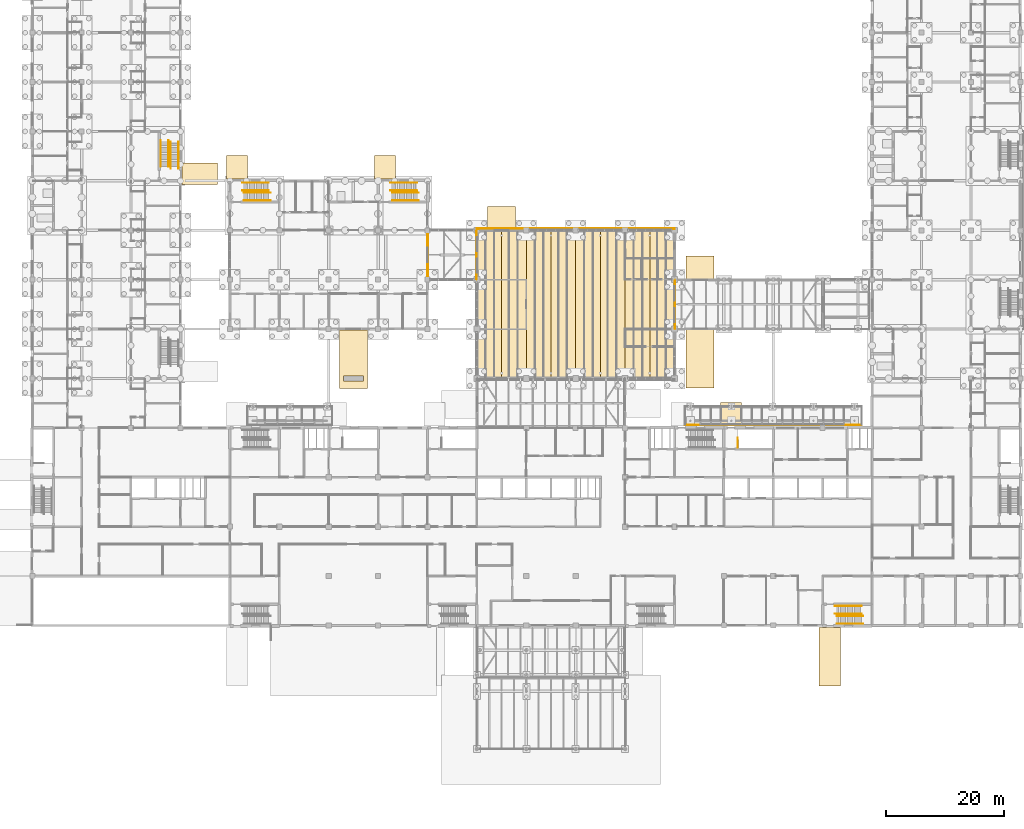
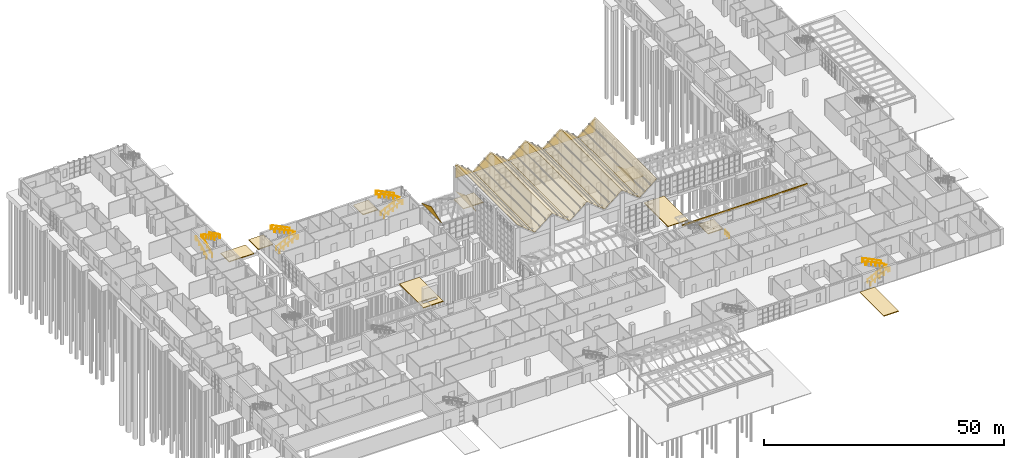
# One storey, part 134 of 138: 26 coverings, 17 railings.
"""IFC4 building model written with IfcOpenShell, lengths in metres."""

import ifcopenshell
import ifcopenshell.guid

model = None  # the IFC model being written
_history = None  # IfcOwnerHistory: only IFC2X3 demands one
_inside = {}  # id of a spatial element -> (the spatial element, [elements in it])
_under = {}  # id of a project, library or spatial element -> (it, [spatial elements below it])
_declared = {}  # id of a project -> (the project, [libraries it declares])
_typed = {}  # id of a type object -> (the type object, [elements of that type])
_made_of = {}  # id of a material, layer set ... -> (it, [elements and type objects made of it])


def new_model(schema):
    """Start an empty IFC model of exactly this schema.

    Asked for "IFC4X3", IfcOpenShell would pick the latest addendum, in which some entities
    have other attributes; the version numbers below select the first issue.
    IFC2X3 requires an IfcOwnerHistory on every rooted entity: one is made here for all.
    """
    global model, _history
    if schema == "IFC4X3":
        model = ifcopenshell.file(schema_version=(4, 3, 0, 0))
    else:
        model = ifcopenshell.file(schema=schema)
    _inside.clear()
    _under.clear()
    _declared.clear()
    _typed.clear()
    _made_of.clear()
    _history = None
    if model.schema == "IFC2X3":
        org = make("IfcOrganization", Name="unknown")
        user = make(
            "IfcPersonAndOrganization",
            ThePerson=make("IfcPerson", FamilyName="unknown"),
            TheOrganization=org,
        )
        app = make(
            "IfcApplication",
            ApplicationDeveloper=org,
            Version="unknown",
            ApplicationFullName="unknown",
            ApplicationIdentifier="unknown",
        )
        _history = make(
            "IfcOwnerHistory",
            OwningUser=user,
            OwningApplication=app,
            ChangeAction="ADDED",
            CreationDate=0,
        )
    return model


def make(cls, **values):
    """One entity of the class cls with the attributes given. An attribute that is None is left unset."""
    return model.create_entity(
        cls, **{name: value for name, value in values.items() if value is not None}
    )


def rooted(cls, **values):
    """An entity with a GlobalId (a new one), such as an element, a storey or a relation."""
    return make(cls, GlobalId=ifcopenshell.guid.new(), OwnerHistory=_history, **values)


def si_unit(unit_type, name, prefix=None):
    """IfcSIUnit, for example si_unit("LENGTHUNIT", "METRE", prefix="MILLI")."""
    return make("IfcSIUnit", UnitType=unit_type, Prefix=prefix, Name=name)


def assignment(units):
    """IfcUnitAssignment: the units of a project."""
    return None if units is None else make("IfcUnitAssignment", Units=units)


def point(xyz):
    """IfcCartesianPoint."""
    return None if xyz is None else make("IfcCartesianPoint", Coordinates=xyz)


def direction(xyz):
    """IfcDirection."""
    return None if xyz is None else make("IfcDirection", DirectionRatios=xyz)


def frame(location, z_axis=None, x_axis=None):
    """IfcAxis2Placement3D, a coordinate frame: its origin and axes. An axis left out is left unset."""
    return make(
        "IfcAxis2Placement3D",
        Location=point(location),
        Axis=direction(z_axis),
        RefDirection=direction(x_axis),
    )


def frame_2d(location, x_axis=None):
    """IfcAxis2Placement2D, a coordinate frame in the plane: its origin and x axis."""
    return make(
        "IfcAxis2Placement2D", Location=point(location), RefDirection=direction(x_axis)
    )


def origin():
    """The frame at (0, 0, 0) with its axes left unset."""
    return frame((0.0, 0.0, 0.0))


def origin_2d():
    """The frame at (0, 0) in the plane with its x axis left unset."""
    return frame_2d((0.0, 0.0))


def place(relative_to, where):
    """IfcLocalPlacement: puts the frame where relative to a parent placement (None: the world)."""
    return make(
        "IfcLocalPlacement", PlacementRelTo=relative_to, RelativePlacement=where
    )


def context(
    kind, dimensions, precision=None, world=None, true_north=None, identifier=None
):
    """IfcGeometricRepresentationContext, for example the 3D "Model" context."""
    return make(
        "IfcGeometricRepresentationContext",
        ContextIdentifier=identifier,
        ContextType=kind,
        CoordinateSpaceDimension=dimensions,
        Precision=precision,
        WorldCoordinateSystem=world,
        TrueNorth=true_north,
    )


def subcontext(parent, identifier, kind, view, scale=None):
    """IfcGeometricRepresentationSubContext, for example "Body" below "Model"."""
    return make(
        "IfcGeometricRepresentationSubContext",
        ContextIdentifier=identifier,
        ContextType=kind,
        ParentContext=parent,
        TargetScale=scale,
        TargetView=view,
    )


def project(units=None, contexts=None):
    """IfcProject with its units and contexts."""
    return rooted(
        "IfcProject",
        Name="project",
        RepresentationContexts=contexts,
        UnitsInContext=assignment(units),
    )


def spatial(cls, under=None, at=None, **own):
    """A site, building, storey or space (cls), placed at a placement, below another one or the project."""
    s = rooted(cls, ObjectPlacement=at, **own)
    if under is not None:
        _under.setdefault(under.id(), (under, []))[1].append(s)
    return s


def polyline(points):
    """IfcPolyline through the points."""
    return make("IfcPolyline", Points=[point(p) for p in points])


def profile(cls, at=None, kind="AREA", **sizes):
    """A parametric profile (cls). Its sizes go by their IFC names, for example OverallWidth=200.0."""
    return make(cls, ProfileType=kind, Position=at, **sizes)


def circle(**sizes):
    """IfcCircleProfileDef."""
    return profile("IfcCircleProfileDef", **sizes)


def outline(outer, holes=None, kind="AREA"):
    """IfcArbitraryClosedProfileDef: a profile drawn as a closed curve; with holes, ...WithVoids."""
    if holes is None:
        return make("IfcArbitraryClosedProfileDef", ProfileType=kind, OuterCurve=outer)
    return make(
        "IfcArbitraryProfileDefWithVoids",
        ProfileType=kind,
        OuterCurve=outer,
        InnerCurves=holes,
    )


def extrude(swept, where, along, depth):
    """IfcExtrudedAreaSolid: the profile swept, set in the frame where, extruded along a direction by depth."""
    return make(
        "IfcExtrudedAreaSolid",
        SweptArea=swept,
        Position=where,
        ExtrudedDirection=direction(along),
        Depth=depth,
    )


def shape(context_of_items, identifier, shape_type, items):
    """IfcShapeRepresentation: the items that make up one representation, for example the "Body"."""
    return make(
        "IfcShapeRepresentation",
        ContextOfItems=context_of_items,
        RepresentationIdentifier=identifier,
        RepresentationType=shape_type,
        Items=items,
    )


def material(Name=None, Category=None):
    """IfcMaterial."""
    return make("IfcMaterial", Name=Name, Category=Category)


def layer(
    of_material, thickness, ventilated=None, Name=None, Category=None, Priority=None
):
    """IfcMaterialLayer: one layer of a wall or slab, of a material (None: an air gap)."""
    return make(
        "IfcMaterialLayer",
        Material=of_material,
        LayerThickness=thickness,
        IsVentilated=ventilated,
        Name=Name,
        Category=Category,
        Priority=Priority,
    )


def layer_set(layers, Name=None):
    """IfcMaterialLayerSet."""
    return make("IfcMaterialLayerSet", MaterialLayers=layers, LayerSetName=Name)


def made_of(thing, what):
    """Note that an element or type object is made of a material, layer set ...; save() writes the relation."""
    if what is not None:
        _made_of.setdefault(what.id(), (what, []))[1].append(thing)
    return thing


def type_object(cls, material=None, **own):
    """A type object (cls), such as IfcWallType, which elements share."""
    return made_of(rooted(cls, **own), material)


def element(
    cls,
    number,
    at=None,
    inside=None,
    cuts=None,
    type_object=None,
    material=None,
    context=None,
    identifier="Body",
    shape_type=None,
    held_by="IfcProductDefinitionShape",
    body=None,
    shapes=None,
    **own,
):
    """One element of the class cls, such as IfcWall. Its Tag is "e" and its number.

    at: its placement. inside: the storey or other place that contains it. cuts: it is an
    opening in that element (IfcRelVoidsElement). A single representation is given by context,
    identifier, shape_type and body (its items); several are given by shapes. held_by: the class
    of the entity that holds the representations. save() writes the other relations.
    """
    e = rooted(cls, Tag="e%d" % number, ObjectPlacement=at, **own)
    if body is not None:
        shapes = [shape(context, identifier, shape_type, body)]
    if shapes is not None:
        e.Representation = make(held_by, Representations=shapes)
    if inside is not None:
        _inside.setdefault(inside.id(), (inside, []))[1].append(e)
    if cuts is not None:
        rooted(
            "IfcRelVoidsElement", RelatingBuildingElement=cuts, RelatedOpeningElement=e
        )
    if type_object is not None:
        _typed.setdefault(type_object.id(), (type_object, []))[1].append(e)
    return made_of(e, material)


def aggregate(whole, parts):
    """IfcRelAggregates: a whole, such as a stair, and the parts it consists of."""
    return rooted("IfcRelAggregates", RelatingObject=whole, RelatedObjects=parts)


def save(model, path):
    """Write the relations noted so far, then the file.

    IfcRelAggregates (storeys below a building ...), IfcRelContainedInSpatialStructure (elements
    in a storey), IfcRelDefinesByType, IfcRelAssociatesMaterial and IfcRelDeclares: one each for
    every whole, place, type object, material and project.
    """
    for whole, parts in _under.values():
        aggregate(whole, parts)
    for where, things in _inside.values():
        rooted(
            "IfcRelContainedInSpatialStructure",
            RelatedElements=things,
            RelatingStructure=where,
        )
    for kind, things in _typed.values():
        rooted("IfcRelDefinesByType", RelatedObjects=things, RelatingType=kind)
    for what, things in _made_of.values():
        rooted("IfcRelAssociatesMaterial", RelatedObjects=things, RelatingMaterial=what)
    for by, libraries in _declared.values():
        rooted("IfcRelDeclares", RelatingContext=by, RelatedDefinitions=libraries)
    model.write(path)


model = new_model("IFC4")

# Units and contexts
model_context = context("Model", 3, precision=1e-05, world=origin(), true_north=direction((0.0, 1.0)))
body_context = subcontext(model_context, "Body", "Model", "MODEL_VIEW")
ifc_project = project(units=[si_unit("LENGTHUNIT", "METRE"), si_unit("AREAUNIT", "SQUARE_METRE"), si_unit("VOLUMEUNIT", "CUBIC_METRE"), si_unit("PLANEANGLEUNIT", "RADIAN"), si_unit("MASSUNIT", "GRAM", prefix="KILO")], contexts=[model_context])

# Site, building, storey
site_placement = place(None, origin())
site = spatial("IfcSite", under=ifc_project, at=site_placement, CompositionType="ELEMENT")
building_placement = place(site_placement, origin())
building = spatial("IfcBuilding", under=site, at=building_placement, Name="Yavir Park General Hospital", CompositionType="ELEMENT")
storey_placement = place(building_placement, origin())
storey = spatial("IfcBuildingStorey", under=building, at=storey_placement, Name="L00", CompositionType="ELEMENT", Elevation=0.0)

# Coverings
ifc_material_1 = material(Name="Aluminium composite cladding", Category="aluminium")
ifc_layer_1 = layer(ifc_material_1, 0.0400390625)
ifc_layer_set_1 = layer_set([ifc_layer_1], Name="Aluminium composite cladding")
covering_type_1 = type_object("IfcCoveringType", Name="Canopy fascia 40", PredefinedType="CLADDING", material=ifc_layer_set_1)
covering_1_placement = place(storey_placement, frame((0.0, 0.0, 3.85009765625)))
element("IfcCovering", 1, at=covering_1_placement, inside=storey, type_object=covering_type_1, Name="Canopy fascia ARC2 S", PredefinedType="CLADDING", context=body_context, shape_type="SweptSolid", body=[
    extrude(outline(polyline([(110.9599609375, 34.06005859375), (141.0400390625, 34.06005859375), (141.0400390625, 34.10009765625), (110.9599609375, 34.10009765625), (110.9599609375, 34.06005859375)])), origin(), (0.0, 0.0, 1.0), 0.449951171875),
])
ifc_material_2 = material(Name="Precast paving flags on a compacted sub-base", Category="concrete")
ifc_layer_2 = layer(ifc_material_2, 0.199951171875)
ifc_layer_set_2 = layer_set([ifc_layer_2], Name="Precast paving flags on a compacted sub-base")
covering_type_2 = type_object("IfcCoveringType", Name="External paving 200", PredefinedType="FLOORING", material=ifc_layer_set_2)
covering_2_placement = place(storey_placement, frame((0.0, 0.0, -0.199951171875)))
element("IfcCovering", 2, at=covering_2_placement, inside=storey, type_object=covering_type_2, Name="Entrance paving east 2", PredefinedType="FLOORING", context=body_context, shape_type="SweptSolid", body=[
    extrude(outline(polyline([(31.5, 78.60009765625), (31.5, 75.0), (25.5, 75.0), (25.5, 75.60009765625), (25.5, 78.60009765625), (31.5, 78.60009765625)])), origin(), (0.0, 0.0, 1.0), 0.199951171875),
])
covering_3_placement = place(storey_placement, frame((0.0, 0.0, -0.199951171875)))
element("IfcCovering", 3, at=covering_3_placement, inside=storey, type_object=covering_type_2, Name="Entrance paving north 5", PredefinedType="FLOORING", context=body_context, shape_type="SweptSolid", body=[
    extrude(outline(polyline([(120.60009765625, 37.89990234375), (120.60009765625, 33.89990234375), (117.60009765625, 33.89990234375), (117.0, 33.89990234375), (117.0, 37.89990234375), (120.60009765625, 37.89990234375)]), holes=[polyline([(118.92431640625, 37.24951171875), (118.919189453125, 37.25390625), (118.913818359375, 37.258056640625), (118.907958984375, 37.26171875), (118.901611328125, 37.264404296875), (118.895263671875, 37.266845703125), (118.888671875, 37.2685546875), (118.8818359375, 37.26953125), (118.875, 37.27001953125), (118.8681640625, 37.26953125), (118.861328125, 37.2685546875), (118.854736328125, 37.266845703125), (118.848388671875, 37.264404296875), (118.842041015625, 37.26171875), (118.836181640625, 37.258056640625), (118.830810546875, 37.25390625), (118.82568359375, 37.24951171875), (118.821044921875, 37.244384765625), (118.81689453125, 37.23876953125), (118.8134765625, 37.23291015625), (118.810546875, 37.226806640625), (118.80810546875, 37.22021484375), (118.806396484375, 37.213623046875), (118.805419921875, 37.206787109375), (118.80517578125, 37.199951171875), (118.805419921875, 37.193115234375), (118.806396484375, 37.186279296875), (118.80810546875, 37.1796875), (118.810546875, 37.17333984375), (118.8134765625, 37.1669921875), (118.81689453125, 37.1611328125), (118.821044921875, 37.15576171875), (118.82568359375, 37.150634765625), (118.830810546875, 37.14599609375), (118.836181640625, 37.141845703125), (118.842041015625, 37.138427734375), (118.848388671875, 37.135498046875), (118.854736328125, 37.13330078125), (118.861328125, 37.131591796875), (118.8681640625, 37.130615234375), (118.875, 37.130126953125), (118.8818359375, 37.130615234375), (118.888671875, 37.131591796875), (118.895263671875, 37.13330078125), (118.901611328125, 37.135498046875), (118.907958984375, 37.138427734375), (118.913818359375, 37.141845703125), (118.919189453125, 37.14599609375), (118.92431640625, 37.150634765625), (118.928955078125, 37.15576171875), (118.93310546875, 37.1611328125), (118.9365234375, 37.1669921875), (118.939453125, 37.17333984375), (118.94189453125, 37.1796875), (118.943603515625, 37.186279296875), (118.944580078125, 37.193115234375), (118.94482421875, 37.199951171875), (118.944580078125, 37.206787109375), (118.943603515625, 37.213623046875), (118.94189453125, 37.22021484375), (118.939453125, 37.226806640625), (118.9365234375, 37.23291015625), (118.93310546875, 37.23876953125), (118.928955078125, 37.244384765625), (118.92431640625, 37.24951171875)]), polyline([(118.93994140625, 34.853515625), (118.9345703125, 34.859619140625), (118.928466796875, 34.864990234375), (118.921875, 34.8701171875), (118.914794921875, 34.874267578125), (118.9072265625, 34.877685546875), (118.8994140625, 34.880615234375), (118.891357421875, 34.882568359375), (118.88330078125, 34.8837890625), (118.875, 34.884033203125), (118.86669921875, 34.8837890625), (118.858642578125, 34.882568359375), (118.8505859375, 34.880615234375), (118.8427734375, 34.877685546875), (118.835205078125, 34.874267578125), (118.828125, 34.8701171875), (118.821533203125, 34.864990234375), (118.8154296875, 34.859619140625), (118.81005859375, 34.853515625), (118.804931640625, 34.8466796875), (118.80078125, 34.839599609375), (118.79736328125, 34.832275390625), (118.79443359375, 34.824462890625), (118.79248046875, 34.81640625), (118.791259765625, 34.80810546875), (118.791015625, 34.800048828125), (118.791259765625, 34.791748046875), (118.79248046875, 34.78369140625), (118.79443359375, 34.775634765625), (118.79736328125, 34.767822265625), (118.80078125, 34.76025390625), (118.804931640625, 34.753173828125), (118.81005859375, 34.74658203125), (118.8154296875, 34.740478515625), (118.821533203125, 34.735107421875), (118.828125, 34.72998046875), (118.835205078125, 34.725830078125), (118.8427734375, 34.722412109375), (118.8505859375, 34.719482421875), (118.858642578125, 34.717529296875), (118.86669921875, 34.71630859375), (118.875, 34.7158203125), (118.88330078125, 34.71630859375), (118.891357421875, 34.717529296875), (118.8994140625, 34.719482421875), (118.9072265625, 34.722412109375), (118.914794921875, 34.725830078125), (118.921875, 34.72998046875), (118.928466796875, 34.735107421875), (118.9345703125, 34.740478515625), (118.93994140625, 34.74658203125), (118.945068359375, 34.753173828125), (118.94921875, 34.76025390625), (118.95263671875, 34.767822265625), (118.95556640625, 34.775634765625), (118.95751953125, 34.78369140625), (118.958740234375, 34.791748046875), (118.958984375, 34.800048828125), (118.958740234375, 34.80810546875), (118.95751953125, 34.81640625), (118.95556640625, 34.824462890625), (118.95263671875, 34.832275390625), (118.94921875, 34.839599609375), (118.945068359375, 34.8466796875), (118.93994140625, 34.853515625)])]), origin(), (0.0, 0.0, 1.0), 0.199951171875),
])
covering_4_placement = place(storey_placement, frame((0.0, 0.0, -0.199951171875)))
element("IfcCovering", 4, at=covering_4_placement, inside=storey, type_object=covering_type_2, Name="Entrance paving north 1", PredefinedType="FLOORING", context=body_context, shape_type="SweptSolid", body=[
    extrude(outline(polyline([(111.965087890625, 58.85009765625), (111.965087890625, 58.8701171875), (111.125, 58.8701171875), (111.125, 62.85009765625), (115.925048828125, 62.85009765625), (115.925048828125, 58.8701171875), (115.0849609375, 58.8701171875), (115.0849609375, 58.85009765625), (115.02490234375, 58.85009765625), (112.02490234375, 58.85009765625), (111.965087890625, 58.85009765625)])), origin(), (0.0, 0.0, 1.0), 0.199951171875),
])
covering_5_placement = place(storey_placement, frame((0.0, 0.0, -0.199951171875)))
element("IfcCovering", 5, at=covering_5_placement, inside=storey, type_object=covering_type_2, Name="Entrance paving north 1", PredefinedType="FLOORING", context=body_context, shape_type="SweptSolid", body=[
    extrude(outline(polyline([(78.239990234375, 67.280029296875), (77.39990234375, 67.280029296875), (77.39990234375, 71.25), (82.199951171875, 71.25), (82.199951171875, 67.280029296875), (81.360107421875, 67.280029296875), (81.360107421875, 67.25), (81.300048828125, 67.25), (78.300048828125, 67.25), (78.239990234375, 67.25), (78.239990234375, 67.280029296875)])), origin(), (0.0, 0.0, 1.0), 0.199951171875),
])
covering_6_placement = place(storey_placement, frame((0.0, 0.0, -0.199951171875)))
element("IfcCovering", 6, at=covering_6_placement, inside=storey, type_object=covering_type_2, Name="Entrance paving north 1", PredefinedType="FLOORING", context=body_context, shape_type="SweptSolid", body=[
    extrude(outline(polyline([(36.60009765625, 75.89990234375), (33.0, 75.89990234375), (33.0, 79.89990234375), (36.60009765625, 79.89990234375), (36.60009765625, 75.89990234375)])), origin(), (0.0, 0.0, 1.0), 0.199951171875),
])
covering_7_placement = place(storey_placement, frame((0.0, 0.0, -0.199951171875)))
element("IfcCovering", 7, at=covering_7_placement, inside=storey, type_object=covering_type_2, Name="Entrance paving north 2", PredefinedType="FLOORING", context=body_context, shape_type="SweptSolid", body=[
    extrude(outline(polyline([(58.199951171875, 75.89990234375), (58.199951171875, 79.89990234375), (61.800048828125, 79.89990234375), (61.800048828125, 75.89990234375), (58.199951171875, 75.89990234375)])), origin(), (0.0, 0.0, 1.0), 0.199951171875),
])
covering_8_placement = place(storey_placement, frame((0.0, 0.0, -0.199951171875)))
element("IfcCovering", 8, at=covering_8_placement, inside=storey, type_object=covering_type_2, Name="Entrance paving south 4", PredefinedType="FLOORING", context=body_context, shape_type="SweptSolid", body=[
    extrude(outline(polyline([(137.39990234375, -0.300048828125), (137.39990234375, -10.300048828125), (133.800048828125, -10.300048828125), (133.800048828125, -0.300048828125), (134.39990234375, -0.300048828125), (137.39990234375, -0.300048828125)])), origin(), (0.0, 0.0, 1.0), 0.199951171875),
])
covering_9_placement = place(storey_placement, frame((0.0, 0.0, -0.199951171875)))
element("IfcCovering", 9, at=covering_9_placement, inside=storey, type_object=covering_type_2, Name="Entrance paving south 1", PredefinedType="FLOORING", context=body_context, shape_type="SweptSolid", body=[
    extrude(outline(polyline([(57.0, 50.27490234375), (57.0, 40.27490234375), (52.199951171875, 40.27490234375), (52.199951171875, 50.27490234375), (57.0, 50.27490234375)]), holes=[polyline([(52.89990234375, 42.39990234375), (52.89990234375, 41.60009765625), (56.300048828125, 41.60009765625), (56.300048828125, 42.39990234375), (52.89990234375, 42.39990234375)])]), origin(), (0.0, 0.0, 1.0), 0.199951171875),
])
covering_10_placement = place(storey_placement, frame((0.0, 0.0, -0.199951171875)))
element("IfcCovering", 10, at=covering_10_placement, inside=storey, type_object=covering_type_2, Name="Entrance paving south 1", PredefinedType="FLOORING", context=body_context, shape_type="SweptSolid", body=[
    extrude(outline(polyline([(115.0849609375, 50.330078125), (115.925048828125, 50.330078125), (115.925048828125, 40.35009765625), (111.125, 40.35009765625), (111.125, 50.330078125), (111.965087890625, 50.330078125), (111.965087890625, 50.35009765625), (112.02490234375, 50.35009765625), (115.02490234375, 50.35009765625), (115.0849609375, 50.35009765625), (115.0849609375, 50.330078125)])), origin(), (0.0, 0.0, 1.0), 0.199951171875),
])
ifc_material_3 = material(Name="Glass-fibre reinforced concrete", Category="concrete")
ifc_layer_3 = layer(ifc_material_3, 0.14990234375)
ifc_layer_set_3 = layer_set([ifc_layer_3], Name="Glass-fibre reinforced concrete")
covering_type_3 = type_object("IfcCoveringType", Name="Gable end GFRC panel 150", PredefinedType="CLADDING", material=ifc_layer_set_3)
covering_11_placement = place(storey_placement, frame((75.60009765625, 67.5, 8.31689453125), z_axis=(0.0, 1.0, 0.0), x_axis=(1.0, 0.0, 0.0)))
element("IfcCovering", 11, at=covering_11_placement, inside=storey, type_object=covering_type_3, Name="Gable end panel HALL-N-R01", PredefinedType="CLADDING", context=body_context, shape_type="SweptSolid", body=[
    extrude(outline(polyline([(0.0, 0.0), (4.199951171875, 0.0), (0.0, -3.400146484375), (0.0, 0.0)])), origin(), (0.0, 0.0, -1.0), 0.14990234375),
])
covering_12_placement = place(storey_placement, frame((79.800048828125, 67.5, 8.31689453125), z_axis=(0.0, 1.0, 0.0), x_axis=(1.0, 0.0, 0.0)))
element("IfcCovering", 12, at=covering_12_placement, inside=storey, type_object=covering_type_3, Name="Gable end panel HALL-N-R02", PredefinedType="CLADDING", context=body_context, shape_type="SweptSolid", body=[
    extrude(outline(polyline([(0.0, 0.0), (8.39990234375, 0.0), (4.199951171875, -3.400146484375), (0.0, 0.0)])), origin(), (0.0, 0.0, -1.0), 0.14990234375),
])
covering_13_placement = place(storey_placement, frame((88.199951171875, 67.5, 8.31689453125), z_axis=(0.0, 1.0, 0.0), x_axis=(1.0, 0.0, 0.0)))
element("IfcCovering", 13, at=covering_13_placement, inside=storey, type_object=covering_type_3, Name="Gable end panel HALL-N-R03", PredefinedType="CLADDING", context=body_context, shape_type="SweptSolid", body=[
    extrude(outline(polyline([(0.0, 0.0), (8.400146484375, 0.0), (4.199951171875, -3.400146484375), (0.0, 0.0)])), origin(), (0.0, 0.0, -1.0), 0.14990234375),
])
covering_14_placement = place(storey_placement, frame((96.60009765625, 67.5, 8.31689453125), z_axis=(0.0, 1.0, 0.0), x_axis=(1.0, 0.0, 0.0)))
element("IfcCovering", 14, at=covering_14_placement, inside=storey, type_object=covering_type_3, Name="Gable end panel HALL-N-R04", PredefinedType="CLADDING", context=body_context, shape_type="SweptSolid", body=[
    extrude(outline(polyline([(0.0, 0.0), (8.39990234375, 0.0), (4.199951171875, -3.400146484375), (0.0, 0.0)])), origin(), (0.0, 0.0, -1.0), 0.14990234375),
])
covering_15_placement = place(storey_placement, frame((105.0, 67.5, 8.31689453125), z_axis=(0.0, 1.0, 0.0), x_axis=(1.0, 0.0, 0.0)))
element("IfcCovering", 15, at=covering_15_placement, inside=storey, type_object=covering_type_3, Name="Gable end panel HALL-N-R05", PredefinedType="CLADDING", context=body_context, shape_type="SweptSolid", body=[
    extrude(outline(polyline([(0.0, 0.0), (4.199951171875, 0.0), (4.199951171875, -3.400146484375), (0.0, 0.0)])), origin(), (0.0, 0.0, -1.0), 0.14990234375),
])
ifc_material_4 = material(Name="Toughened safety glass", Category="glass")
ifc_layer_4 = layer(ifc_material_4, 0.1201171875)
ifc_layer_set_4 = layer_set([ifc_layer_4], Name="Toughened safety glass")
covering_type_4 = type_object("IfcCoveringType", Name="Gable end glass panel 120", PredefinedType="CLADDING", material=ifc_layer_set_4)
covering_16_placement = place(storey_placement, frame((109.199951171875, 50.39990234375, 4.93896484375), z_axis=(-1.0, 0.0, 0.0), x_axis=(0.0, 1.0, 0.0)))
element("IfcCovering", 16, at=covering_16_placement, inside=storey, type_object=covering_type_4, Name="Gable end panel CONC-W-G01", PredefinedType="CLADDING", context=body_context, shape_type="SweptSolid", body=[
    extrude(outline(polyline([(0.0, 0.0), (8.400146484375, 0.0), (4.2001953125, -1.60009765625), (0.0, 0.0)])), origin(), (0.0, 0.0, -1.0), 0.1201171875),
])
covering_17_placement = place(storey_placement, frame((67.199951171875, 58.800048828125, 5.0390625), z_axis=(-1.0, 0.0, 0.0), x_axis=(0.0, 1.0, 0.0)))
element("IfcCovering", 17, at=covering_17_placement, inside=storey, type_object=covering_type_4, Name="Gable end panel LINK-W-G01", PredefinedType="CLADDING", context=body_context, shape_type="SweptSolid", body=[
    extrude(outline(polyline([(0.0, 0.0), (8.39990234375, 0.0), (4.199951171875, -1.599853515625), (0.0, 0.0)])), origin(), (0.0, 0.0, -1.0), 0.1201171875),
])
covering_18_placement = place(storey_placement, frame((75.60009765625, 58.800048828125, 5.0390625), z_axis=(1.0, 0.0, 0.0), x_axis=(0.0, 1.0, 0.0)))
element("IfcCovering", 18, at=covering_18_placement, inside=storey, type_object=covering_type_4, Name="Gable end panel LINK-E-G01", PredefinedType="CLADDING", context=body_context, shape_type="SweptSolid", body=[
    extrude(outline(polyline([(0.0, 0.0), (8.39990234375, 0.0), (4.199951171875, 1.599853515625), (0.0, 0.0)])), origin(), (0.0, 0.0, -1.0), 0.1201171875),
])

# Railings
ifc_material_5 = material(Name="Steel balustrade with infill rods", Category="steel")
railing_type_1 = type_object("IfcRailingType", Name="Stair guard, steel balustrade 1100 mm", PredefinedType="GUARDRAIL", material=ifc_material_5)
railing_placement = place(storey_placement, frame((119.969970703125, 30.22998046875, 0.0)))
element("IfcRailing", 19, at=railing_placement, inside=storey, type_object=railing_type_1, Name="Stair well guard BS4 L00", PredefinedType="GUARDRAIL", context=body_context, shape_type="SweptSolid", body=[
    extrude(circle(Radius=0.02392578125, at=origin_2d()), frame((0.0, 0.0, 1.076171875), z_axis=(0.0, 1.0, 0.0), x_axis=(-1.0, 0.0, 0.0)), (0.0, 0.0, 1.0), 1.669921875),
    extrude(circle(Radius=0.02099609375, at=origin_2d()), origin(), (0.0, 0.0, 1.0), 1.052001953125),
    extrude(circle(Radius=0.02099609375, at=origin_2d()), frame((0.0, 0.8349609375, 0.0)), (0.0, 0.0, 1.0), 1.052001953125),
    extrude(circle(Radius=0.02099609375, at=origin_2d()), frame((0.0, 1.669921875, 0.0)), (0.0, 0.0, 1.0), 1.052001953125),
])
ifc_material_6 = material(Name="Stainless steel tube 48 mm", Category="steel")
railing_type_2 = type_object("IfcRailingType", Name="Stair handrail, steel tube, 900 mm above the nosings", PredefinedType="HANDRAIL", material=ifc_material_6)
for number, where, name in (
    (20, (136.800048828125, 0.2900390625, 0.14990234375), "Handrail SU5 L00 1"),
    (21, (136.800048828125, 1.610107421875, 0.14990234375), "Handrail SU5 L00 2"),
):
    element("IfcRailing", number, at=place(storey_placement, frame(where)), inside=storey, type_object=railing_type_2, Name=name, PredefinedType="HANDRAIL", context=body_context, shape_type="SweptSolid", body=[
        extrude(circle(Radius=0.02392578125, at=origin_2d()), frame((0.0, 0.0, 0.8759765625), z_axis=(0.894416792377, 0.0, 0.447234392142), x_axis=(0.0, 1.0, 0.0)), (0.0, 0.0, 1.0), 4.69580078125),
        extrude(circle(Radius=0.02392578125, at=origin_2d()), frame((4.199951171875, 0.0, 2.97607421875), z_axis=(1.0, 0.0, 0.0), x_axis=(0.0, 1.0, 0.0)), (0.0, 0.0, 1.0), 0.300048828125),
        extrude(circle(Radius=0.02099609375, at=origin_2d()), origin(), (0.0, 0.0, 1.0), 0.851806640625),
        extrude(circle(Radius=0.02099609375, at=origin_2d()), frame((1.050048828125, 0.0, 0.52490234375)), (0.0, 0.0, 1.0), 0.851806640625),
        extrude(circle(Radius=0.02099609375, at=origin_2d()), frame((2.10009765625, 0.0, 1.050048828125)), (0.0, 0.0, 1.0), 0.851806640625),
        extrude(circle(Radius=0.02099609375, at=origin_2d()), frame((3.14990234375, 0.0, 1.5751953125)), (0.0, 0.0, 1.0), 0.851806640625),
        extrude(circle(Radius=0.02099609375, at=origin_2d()), frame((4.199951171875, 0.0, 2.10009765625)), (0.0, 0.0, 1.0), 0.851806640625),
        extrude(circle(Radius=0.02099609375, at=origin_2d()), frame((4.5, 0.0, 2.10009765625)), (0.0, 0.0, 1.0), 0.851806640625),
    ])
for number, where, name in (
    (22, (141.0, 3.31005859375, 2.39990234375), "Handrail SU5 L00 3"),
    (23, (141.0, 1.989990234375, 2.39990234375), "Handrail SU5 L00 4"),
):
    element("IfcRailing", number, at=place(storey_placement, frame(where)), inside=storey, type_object=railing_type_2, Name=name, PredefinedType="HANDRAIL", context=body_context, shape_type="SweptSolid", body=[
        extrude(circle(Radius=0.02392578125, at=origin_2d()), frame((0.0, 0.0, 0.8759765625), z_axis=(-0.894416792377, 0.0, 0.447234392142), x_axis=(0.0, -1.0, 0.0)), (0.0, 0.0, 1.0), 4.69580078125),
        extrude(circle(Radius=0.02392578125, at=origin_2d()), frame((-4.199951171875, 0.0, 2.97607421875), z_axis=(-1.0, 0.0, 0.0), x_axis=(0.0, -1.0, 0.0)), (0.0, 0.0, 1.0), 0.300048828125),
        extrude(circle(Radius=0.02099609375, at=origin_2d()), origin(), (0.0, 0.0, 1.0), 0.851806640625),
        extrude(circle(Radius=0.02099609375, at=origin_2d()), frame((-1.050048828125, 0.0, 0.52490234375)), (0.0, 0.0, 1.0), 0.851806640625),
        extrude(circle(Radius=0.02099609375, at=origin_2d()), frame((-2.10009765625, 0.0, 1.050048828125)), (0.0, 0.0, 1.0), 0.851806640625),
        extrude(circle(Radius=0.02099609375, at=origin_2d()), frame((-3.14990234375, 0.0, 1.5751953125)), (0.0, 0.0, 1.0), 0.851806640625),
        extrude(circle(Radius=0.02099609375, at=origin_2d()), frame((-4.199951171875, 0.0, 2.10009765625)), (0.0, 0.0, 1.0), 0.851806640625),
        extrude(circle(Radius=0.02099609375, at=origin_2d()), frame((-4.5, 0.0, 2.10009765625)), (0.0, 0.0, 1.0), 0.851806640625),
    ])
for number, where, name in (
    (24, (21.840087890625, 78.0, 0.14990234375), "Handrail SW2 L00 1"),
    (25, (23.159912109375, 78.0, 0.14990234375), "Handrail SW2 L00 2"),
):
    element("IfcRailing", number, at=place(storey_placement, frame(where)), inside=storey, type_object=railing_type_2, Name=name, PredefinedType="HANDRAIL", context=body_context, shape_type="SweptSolid", body=[
        extrude(circle(Radius=0.02392578125, at=origin_2d()), frame((0.0, 0.0, 0.8759765625), z_axis=(0.0, 0.894416792377, 0.447234392142), x_axis=(-1.0, 0.0, 0.0)), (0.0, 0.0, 1.0), 4.69580078125),
        extrude(circle(Radius=0.02392578125, at=origin_2d()), frame((0.0, 4.199951171875, 2.97607421875), z_axis=(0.0, 1.0, 0.0), x_axis=(-1.0, 0.0, 0.0)), (0.0, 0.0, 1.0), 0.300048828125),
        extrude(circle(Radius=0.02099609375, at=origin_2d()), origin(), (0.0, 0.0, 1.0), 0.851806640625),
        extrude(circle(Radius=0.02099609375, at=origin_2d()), frame((0.0, 1.050048828125, 0.52490234375)), (0.0, 0.0, 1.0), 0.851806640625),
        extrude(circle(Radius=0.02099609375, at=origin_2d()), frame((0.0, 2.10009765625, 1.050048828125)), (0.0, 0.0, 1.0), 0.851806640625),
        extrude(circle(Radius=0.02099609375, at=origin_2d()), frame((0.0, 3.14990234375, 1.5751953125)), (0.0, 0.0, 1.0), 0.851806640625),
        extrude(circle(Radius=0.02099609375, at=origin_2d()), frame((0.0, 4.199951171875, 2.10009765625)), (0.0, 0.0, 1.0), 0.851806640625),
        extrude(circle(Radius=0.02099609375, at=origin_2d()), frame((0.0, 4.5, 2.10009765625)), (0.0, 0.0, 1.0), 0.851806640625),
    ])
for number, where, name in (
    (26, (24.860107421875, 82.199951171875, 2.39990234375), "Handrail SW2 L00 3"),
    (27, (23.5400390625, 82.199951171875, 2.39990234375), "Handrail SW2 L00 4"),
):
    element("IfcRailing", number, at=place(storey_placement, frame(where)), inside=storey, type_object=railing_type_2, Name=name, PredefinedType="HANDRAIL", context=body_context, shape_type="SweptSolid", body=[
        extrude(circle(Radius=0.02392578125, at=origin_2d()), frame((0.0, 0.0, 0.8759765625), z_axis=(0.0, -0.894416792377, 0.447234392142), x_axis=(1.0, 0.0, 0.0)), (0.0, 0.0, 1.0), 4.69580078125),
        extrude(circle(Radius=0.02392578125, at=origin_2d()), frame((0.0, -4.199951171875, 2.97607421875), z_axis=(0.0, -1.0, 0.0), x_axis=(1.0, 0.0, 0.0)), (0.0, 0.0, 1.0), 0.300048828125),
        extrude(circle(Radius=0.02099609375, at=origin_2d()), origin(), (0.0, 0.0, 1.0), 0.851806640625),
        extrude(circle(Radius=0.02099609375, at=origin_2d()), frame((0.0, -1.050048828125, 0.52490234375)), (0.0, 0.0, 1.0), 0.851806640625),
        extrude(circle(Radius=0.02099609375, at=origin_2d()), frame((0.0, -2.10009765625, 1.050048828125)), (0.0, 0.0, 1.0), 0.851806640625),
        extrude(circle(Radius=0.02099609375, at=origin_2d()), frame((0.0, -3.14990234375, 1.5751953125)), (0.0, 0.0, 1.0), 0.851806640625),
        extrude(circle(Radius=0.02099609375, at=origin_2d()), frame((0.0, -4.199951171875, 2.10009765625)), (0.0, 0.0, 1.0), 0.851806640625),
        extrude(circle(Radius=0.02099609375, at=origin_2d()), frame((0.0, -4.5, 2.10009765625)), (0.0, 0.0, 1.0), 0.851806640625),
    ])
for number, where, name in (
    (28, (36.0, 72.239990234375, 0.14990234375), "Handrail CS1 L00 1"),
    (29, (36.0, 73.56005859375, 0.14990234375), "Handrail CS1 L00 2"),
):
    element("IfcRailing", number, at=place(storey_placement, frame(where)), inside=storey, type_object=railing_type_2, Name=name, PredefinedType="HANDRAIL", context=body_context, shape_type="SweptSolid", body=[
        extrude(circle(Radius=0.02392578125, at=origin_2d()), frame((0.0, 0.0, 0.8759765625), z_axis=(0.894416792377, 0.0, 0.447234392142), x_axis=(0.0, 1.0, 0.0)), (0.0, 0.0, 1.0), 4.69580078125),
        extrude(circle(Radius=0.02392578125, at=origin_2d()), frame((4.199951171875, 0.0, 2.97607421875), z_axis=(1.0, 0.0, 0.0), x_axis=(0.0, 1.0, 0.0)), (0.0, 0.0, 1.0), 0.300048828125),
        extrude(circle(Radius=0.02099609375, at=origin_2d()), origin(), (0.0, 0.0, 1.0), 0.851806640625),
        extrude(circle(Radius=0.02099609375, at=origin_2d()), frame((1.050048828125, 0.0, 0.52490234375)), (0.0, 0.0, 1.0), 0.851806640625),
        extrude(circle(Radius=0.02099609375, at=origin_2d()), frame((2.10009765625, 0.0, 1.050048828125)), (0.0, 0.0, 1.0), 0.851806640625),
        extrude(circle(Radius=0.02099609375, at=origin_2d()), frame((3.14990234375, 0.0, 1.5751953125)), (0.0, 0.0, 1.0), 0.851806640625),
        extrude(circle(Radius=0.02099609375, at=origin_2d()), frame((4.199951171875, 0.0, 2.10009765625)), (0.0, 0.0, 1.0), 0.851806640625),
        extrude(circle(Radius=0.02099609375, at=origin_2d()), frame((4.5, 0.0, 2.10009765625)), (0.0, 0.0, 1.0), 0.851806640625),
    ])
for number, where, name in (
    (30, (40.199951171875, 75.260009765625, 2.39990234375), "Handrail CS1 L00 3"),
    (31, (40.199951171875, 73.93994140625, 2.39990234375), "Handrail CS1 L00 4"),
):
    element("IfcRailing", number, at=place(storey_placement, frame(where)), inside=storey, type_object=railing_type_2, Name=name, PredefinedType="HANDRAIL", context=body_context, shape_type="SweptSolid", body=[
        extrude(circle(Radius=0.02392578125, at=origin_2d()), frame((0.0, 0.0, 0.8759765625), z_axis=(-0.894416792377, 0.0, 0.447234392142), x_axis=(0.0, -1.0, 0.0)), (0.0, 0.0, 1.0), 4.69580078125),
        extrude(circle(Radius=0.02392578125, at=origin_2d()), frame((-4.199951171875, 0.0, 2.97607421875), z_axis=(-1.0, 0.0, 0.0), x_axis=(0.0, -1.0, 0.0)), (0.0, 0.0, 1.0), 0.300048828125),
        extrude(circle(Radius=0.02099609375, at=origin_2d()), origin(), (0.0, 0.0, 1.0), 0.851806640625),
        extrude(circle(Radius=0.02099609375, at=origin_2d()), frame((-1.050048828125, 0.0, 0.52490234375)), (0.0, 0.0, 1.0), 0.851806640625),
        extrude(circle(Radius=0.02099609375, at=origin_2d()), frame((-2.10009765625, 0.0, 1.050048828125)), (0.0, 0.0, 1.0), 0.851806640625),
        extrude(circle(Radius=0.02099609375, at=origin_2d()), frame((-3.14990234375, 0.0, 1.5751953125)), (0.0, 0.0, 1.0), 0.851806640625),
        extrude(circle(Radius=0.02099609375, at=origin_2d()), frame((-4.199951171875, 0.0, 2.10009765625)), (0.0, 0.0, 1.0), 0.851806640625),
        extrude(circle(Radius=0.02099609375, at=origin_2d()), frame((-4.5, 0.0, 2.10009765625)), (0.0, 0.0, 1.0), 0.851806640625),
    ])
for number, where, name in (
    (32, (61.199951171875, 72.239990234375, 0.14990234375), "Handrail CS2 L00 1"),
    (33, (61.199951171875, 73.56005859375, 0.14990234375), "Handrail CS2 L00 2"),
):
    element("IfcRailing", number, at=place(storey_placement, frame(where)), inside=storey, type_object=railing_type_2, Name=name, PredefinedType="HANDRAIL", context=body_context, shape_type="SweptSolid", body=[
        extrude(circle(Radius=0.02392578125, at=origin_2d()), frame((0.0, 0.0, 0.8759765625), z_axis=(0.894416792377, 0.0, 0.447234392142), x_axis=(0.0, 1.0, 0.0)), (0.0, 0.0, 1.0), 4.69580078125),
        extrude(circle(Radius=0.02392578125, at=origin_2d()), frame((4.199951171875, 0.0, 2.97607421875), z_axis=(1.0, 0.0, 0.0), x_axis=(0.0, 1.0, 0.0)), (0.0, 0.0, 1.0), 0.300048828125),
        extrude(circle(Radius=0.02099609375, at=origin_2d()), origin(), (0.0, 0.0, 1.0), 0.851806640625),
        extrude(circle(Radius=0.02099609375, at=origin_2d()), frame((1.050048828125, 0.0, 0.52490234375)), (0.0, 0.0, 1.0), 0.851806640625),
        extrude(circle(Radius=0.02099609375, at=origin_2d()), frame((2.10009765625, 0.0, 1.050048828125)), (0.0, 0.0, 1.0), 0.851806640625),
        extrude(circle(Radius=0.02099609375, at=origin_2d()), frame((3.14990234375, 0.0, 1.5751953125)), (0.0, 0.0, 1.0), 0.851806640625),
        extrude(circle(Radius=0.02099609375, at=origin_2d()), frame((4.199951171875, 0.0, 2.10009765625)), (0.0, 0.0, 1.0), 0.851806640625),
        extrude(circle(Radius=0.02099609375, at=origin_2d()), frame((4.5, 0.0, 2.10009765625)), (0.0, 0.0, 1.0), 0.851806640625),
    ])
for number, where, name in (
    (34, (65.39990234375, 75.260009765625, 2.39990234375), "Handrail CS2 L00 3"),
    (35, (65.39990234375, 73.93994140625, 2.39990234375), "Handrail CS2 L00 4"),
):
    element("IfcRailing", number, at=place(storey_placement, frame(where)), inside=storey, type_object=railing_type_2, Name=name, PredefinedType="HANDRAIL", context=body_context, shape_type="SweptSolid", body=[
        extrude(circle(Radius=0.02392578125, at=origin_2d()), frame((0.0, 0.0, 0.8759765625), z_axis=(-0.894416792377, 0.0, 0.447234392142), x_axis=(0.0, -1.0, 0.0)), (0.0, 0.0, 1.0), 4.69580078125),
        extrude(circle(Radius=0.02392578125, at=origin_2d()), frame((-4.199951171875, 0.0, 2.97607421875), z_axis=(-1.0, 0.0, 0.0), x_axis=(0.0, -1.0, 0.0)), (0.0, 0.0, 1.0), 0.300048828125),
        extrude(circle(Radius=0.02099609375, at=origin_2d()), origin(), (0.0, 0.0, 1.0), 0.851806640625),
        extrude(circle(Radius=0.02099609375, at=origin_2d()), frame((-1.050048828125, 0.0, 0.52490234375)), (0.0, 0.0, 1.0), 0.851806640625),
        extrude(circle(Radius=0.02099609375, at=origin_2d()), frame((-2.10009765625, 0.0, 1.050048828125)), (0.0, 0.0, 1.0), 0.851806640625),
        extrude(circle(Radius=0.02099609375, at=origin_2d()), frame((-3.14990234375, 0.0, 1.5751953125)), (0.0, 0.0, 1.0), 0.851806640625),
        extrude(circle(Radius=0.02099609375, at=origin_2d()), frame((-4.199951171875, 0.0, 2.10009765625)), (0.0, 0.0, 1.0), 0.851806640625),
        extrude(circle(Radius=0.02099609375, at=origin_2d()), frame((-4.5, 0.0, 2.10009765625)), (0.0, 0.0, 1.0), 0.851806640625),
    ])

# Coverings
ifc_material_7 = material(Name="Zinc-titanium standing seam sheet")
ifc_layer_5 = layer(ifc_material_7, 0.02490234375)
ifc_layer_set_5 = layer_set([ifc_layer_5], Name="Zinc-titanium standing seam sheet")
covering_type_5 = type_object("IfcCoveringType", Name="Standing seam zinc roofing 25", PredefinedType="ROOFING", material=ifc_layer_set_5)
for number, where, z_axis, x_axis, name in (
    (36, (75.60009765625, 41.699951171875, 12.0322265625), (0.629219023527, 0.0, 0.777228036313), (0.777228036313, 0.0, -0.629219023527), "Roofing HALL-F01"),
    (37, (79.800048828125, 41.699951171875, 8.632080078125), (-0.629219023527, 0.0, 0.777228036313), (0.777228036313, 0.0, 0.629219023527), "Roofing HALL-F02"),
    (38, (84.0, 41.699951171875, 12.0322265625), (0.629219023527, 0.0, 0.777228036313), (0.777228036313, 0.0, -0.629219023527), "Roofing HALL-F03"),
    (39, (88.199951171875, 41.699951171875, 8.632080078125), (-0.629219023527, 0.0, 0.777228036313), (0.777228036313, 0.0, 0.629219023527), "Roofing HALL-F04"),
):
    element("IfcCovering", number, at=place(storey_placement, frame(where, z_axis=z_axis, x_axis=x_axis)), inside=storey, type_object=covering_type_5, Name=name, PredefinedType="ROOFING", context=body_context, shape_type="SweptSolid", body=[
        extrude(outline(polyline([(0.0, 0.0), (5.40375665267616, 0.0), (5.40375665267616, 25.800048828125), (0.0, 25.800048828125), (0.0, 0.0)])), origin(), (0.0, 0.0, -1.0), 0.02490234375),
    ])
covering_19_placement = place(storey_placement, frame((92.39990234375, 41.699951171875, 12.0322265625), z_axis=(0.62919692902, 0.0, 0.777245922802), x_axis=(0.777245922802, 0.0, -0.62919692902)))
element("IfcCovering", 40, at=covering_19_placement, inside=storey, type_object=covering_type_5, Name="Roofing HALL-F05", PredefinedType="ROOFING", context=body_context, shape_type="SweptSolid", body=[
    extrude(outline(polyline([(0.0, 0.0), (5.403946407798161, 0.0), (5.403946407798161, 25.800048828125), (0.0, 25.800048828125), (0.0, 0.0)])), origin(), (0.0, 0.0, -1.0), 0.02490234375),
])
for number, where, z_axis, x_axis, name in (
    (41, (96.60009765625, 41.699951171875, 8.632080078125), (-0.629219023527, 0.0, 0.777228036313), (0.777228036313, 0.0, 0.629219023527), "Roofing HALL-F06"),
    (42, (100.800048828125, 41.699951171875, 12.0322265625), (0.629219023527, 0.0, 0.777228036313), (0.777228036313, 0.0, -0.629219023527), "Roofing HALL-F07"),
    (43, (105.0, 41.699951171875, 8.632080078125), (-0.629219023527, 0.0, 0.777228036313), (0.777228036313, 0.0, 0.629219023527), "Roofing HALL-F08"),
):
    element("IfcCovering", number, at=place(storey_placement, frame(where, z_axis=z_axis, x_axis=x_axis)), inside=storey, type_object=covering_type_5, Name=name, PredefinedType="ROOFING", context=body_context, shape_type="SweptSolid", body=[
        extrude(outline(polyline([(0.0, 0.0), (5.40375665267616, 0.0), (5.40375665267616, 25.800048828125), (0.0, 25.800048828125), (0.0, 0.0)])), origin(), (0.0, 0.0, -1.0), 0.02490234375),
    ])

save(model, "model.ifc")
